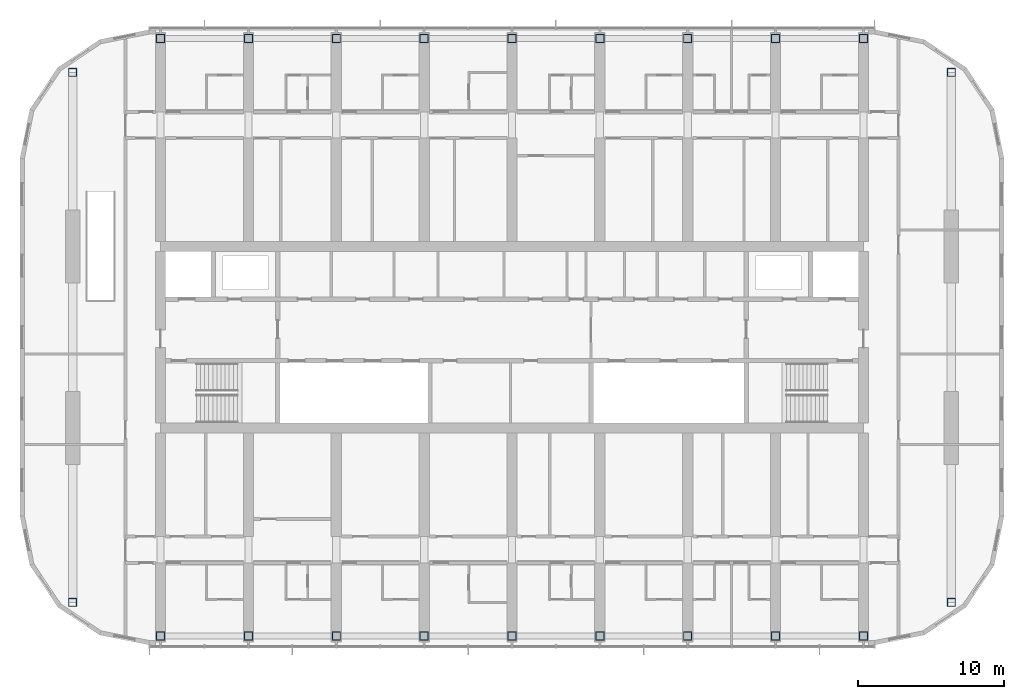
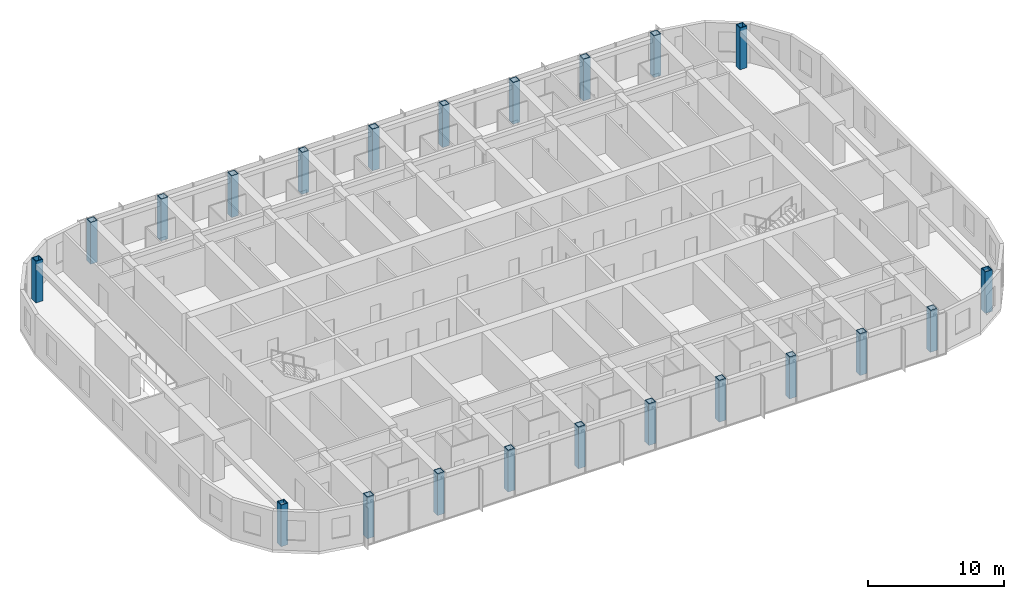
# One storey, part 1 of 23: 22 columns.
"""IFC4 building model written with IfcOpenShell, lengths in metres."""

from ifc_helpers import new_model, si_unit, direction, frame, origin, origin_2d, place, context, subcontext, project, spatial, hollow_rectangle, extrude, material, material_profile, profile_set, type_object, element, save


model = new_model("IFC4")

# Units and contexts
model_context = context("Model", 3, precision=1e-05, world=origin(), true_north=direction((0.0, 1.0)))
body_context = subcontext(model_context, "Body", "Model", "MODEL_VIEW")
ifc_project = project(units=[si_unit("LENGTHUNIT", "METRE"), si_unit("AREAUNIT", "SQUARE_METRE"), si_unit("VOLUMEUNIT", "CUBIC_METRE"), si_unit("PLANEANGLEUNIT", "RADIAN"), si_unit("MASSUNIT", "GRAM", prefix="KILO")], contexts=[model_context])

# Site, building, storey
site_placement = place(None, origin())
site = spatial("IfcSite", under=ifc_project, at=site_placement, CompositionType="ELEMENT")
building_placement = place(site_placement, origin())
building = spatial("IfcBuilding", under=site, at=building_placement, Name="Orbita Commons", CompositionType="ELEMENT")
storey_placement = place(building_placement, frame((0.0, 0.0, 220.300048828125)))
storey = spatial("IfcBuildingStorey", under=building, at=storey_placement, Name="L54", CompositionType="ELEMENT", Elevation=220.300048828125)

# Columns
ifc_material = material(Name="Steel ASTM A572 Gr 50 welded plate", Category="steel")
ifc_material_profile = material_profile(ifc_material, hollow_rectangle(XDim=0.60009765625, YDim=0.60009765625, WallThickness=0.06005859375, at=origin_2d()), Name="BOX 600x600x60")
ifc_profile_set = profile_set([ifc_material_profile], Name="Steel ASTM A572 Gr 50 welded plate")
column_type = type_object("IfcColumnType", Name="Steel column BOX 600x600x60", PredefinedType="COLUMN", material=ifc_profile_set)
for number, where, z_axis, x_axis, name in (
    (1, (18.0, 11.60009765625, 0.0), (0.0, 0.0, 1.0), (1.0, 0.0, 0.0), "Column 4/B L54"),
    (2, (18.0, 52.39990234375, 0.0), (0.0, 0.0, 1.0), (1.0, 0.0, 0.0), "Column 4/E L54"),
    (3, (24.0, 11.60009765625, 0.0), (0.0, 0.0, 1.0), (1.0, 0.0, 0.0), "Column 5/B L54"),
    (4, (24.0, 52.39990234375, 0.0), (0.0, 0.0, 1.0), (1.0, 0.0, 0.0), "Column 5/E L54"),
    (5, (30.0, 11.60009765625, 0.0), (0.0, 0.0, 1.0), (1.0, 0.0, 0.0), "Column 6/B L54"),
    (6, (30.0, 52.39990234375, 0.0), (0.0, 0.0, 1.0), (1.0, 0.0, 0.0), "Column 6/E L54"),
    (7, (36.0, 11.60009765625, 0.0), (0.0, 0.0, 1.0), (1.0, 0.0, 0.0), "Column 7/B L54"),
    (8, (36.0, 52.39990234375, 0.0), (0.0, 0.0, 1.0), (1.0, 0.0, 0.0), "Column 7/E L54"),
    (9, (42.0, 11.60009765625, 0.0), (0.0, 0.0, 1.0), (1.0, 0.0, 0.0), "Column 8/B L54"),
    (10, (42.0, 52.39990234375, 0.0), (0.0, 0.0, 1.0), (1.0, 0.0, 0.0), "Column 8/E L54"),
    (11, (48.0, 11.60009765625, 0.0), (0.0, 0.0, 1.0), (1.0, 0.0, 0.0), "Column 9/B L54"),
    (12, (48.0, 52.39990234375, 0.0), (0.0, 0.0, 1.0), (1.0, 0.0, 0.0), "Column 9/E L54"),
    (13, (54.0, 11.60009765625, 0.0), (0.0, 0.0, 1.0), (1.0, 0.0, 0.0), "Column 10/B L54"),
    (14, (54.0, 52.39990234375, 0.0), (0.0, 0.0, 1.0), (1.0, 0.0, 0.0), "Column 10/E L54"),
    (15, (60.0, 11.60009765625, 0.0), (0.0, 0.0, 1.0), (1.0, 0.0, 0.0), "Column 11/B L54"),
    (16, (60.0, 52.39990234375, 0.0), (0.0, 0.0, 1.0), (1.0, 0.0, 0.0), "Column 11/E L54"),
    (17, (66.0, 11.60009765625, 0.0), (0.0, 0.0, 1.0), (1.0, 0.0, 0.0), "Column 12/B L54"),
    (18, (66.0, 52.39990234375, 0.0), (0.0, 0.0, 1.0), (1.0, 0.0, 0.0), "Column 12/E L54"),
    (19, (12.0, 13.89990234375, 0.0), (0.0, 0.0, 1.0), (1.0, 0.0, 0.0), "Column 3/13.9 L54"),
    (20, (12.0, 50.10009765625, 0.0), (0.0, 0.0, 1.0), (1.0, 0.0, 0.0), "Column 3/50.1 L54"),
    (21, (72.0, 13.89990234375, 0.0), (0.0, 0.0, 1.0), (1.0, 0.0, 0.0), "Column 13/13.9 L54"),
    (22, (72.0, 50.10009765625, 0.0), (0.0, 0.0, 1.0), (1.0, 0.0, 0.0), "Column 13/50.1 L54"),
):
    element("IfcColumn", number, at=place(storey_placement, frame(where, z_axis=z_axis, x_axis=x_axis)), inside=storey, type_object=column_type, Name=name, PredefinedType="COLUMN", context=body_context, shape_type="SweptSolid", body=[
        extrude(hollow_rectangle(XDim=0.60009765625, YDim=0.60009765625, WallThickness=0.06005859375, at=origin_2d()), origin(), (0.0, 0.0, 1.0), 3.75),
    ])

save(model, "model.ifc")
